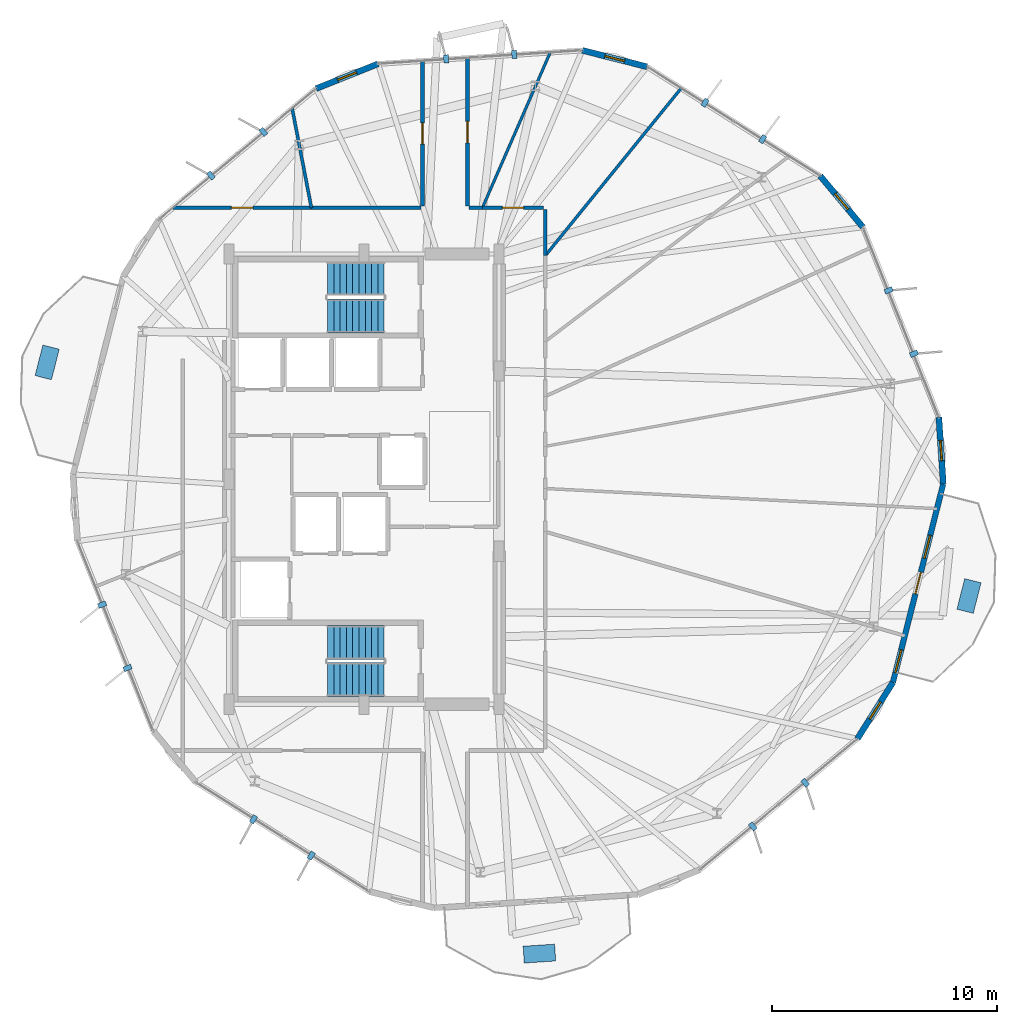
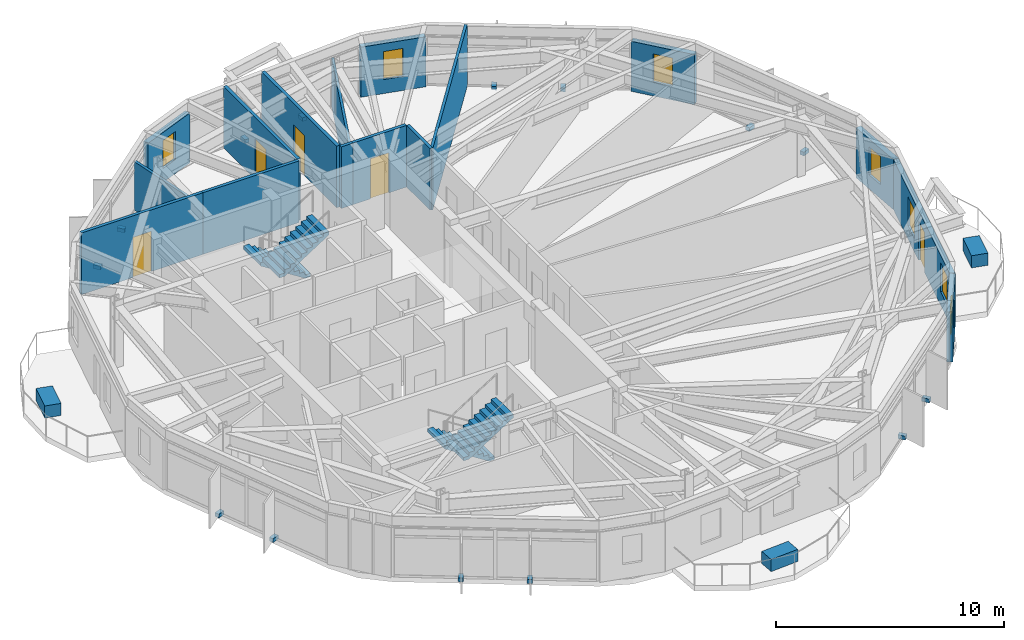
# One storey, part 21 of 24: 17 discrete accessories, 16 walls, 7 windows, 5 doors, 4 stair flights, 12 openings, 2 elements without a shape of their own.
"""IFC4 building model written with IfcOpenShell, lengths in metres."""

from ifc_helpers import new_model, si_unit, direction, frame, frame_2d, origin, origin_2d, place, context, subcontext, project, spatial, polyline, rectangle, outline, extrude, material, layer, layer_set, type_object, element, fill, aggregate, save


model = new_model("IFC4")

# Units and contexts
model_context = context("Model", 3, precision=1e-05, world=origin(), true_north=direction((0.0, 1.0)))
body_context = subcontext(model_context, "Body", "Model", "MODEL_VIEW")
ifc_project = project(units=[si_unit("LENGTHUNIT", "METRE"), si_unit("AREAUNIT", "SQUARE_METRE"), si_unit("VOLUMEUNIT", "CUBIC_METRE"), si_unit("PLANEANGLEUNIT", "RADIAN"), si_unit("MASSUNIT", "GRAM", prefix="KILO")], contexts=[model_context])

# Site, building, storey
site_placement = place(None, origin())
site = spatial("IfcSite", under=ifc_project, at=site_placement, CompositionType="ELEMENT")
building_placement = place(site_placement, origin())
building = spatial("IfcBuilding", under=site, at=building_placement, Name="Soratama Intermodal Tower", CompositionType="ELEMENT")
storey_placement = place(building_placement, frame((0.0, 0.0, 178.60009765625)))
storey = spatial("IfcBuildingStorey", under=building, at=storey_placement, Name="L44", CompositionType="ELEMENT", Elevation=178.60009765625)

# Wall, openings, door, windows
ifc_material_1 = material(Name="Concrete f'c 42 MPa", Category="concrete")
ifc_layer_1 = layer(ifc_material_1, 0.25)
ifc_layer_set_1 = layer_set([ifc_layer_1], Name="Concrete f'c 42 MPa")
wall_type_1 = type_object("IfcWallType", Name="EW-BAL-250", PredefinedType="SOLIDWALL", material=ifc_layer_set_1)
wall_1_placement = place(storey_placement, frame((62.091796875, 15.981689453125, 0.0), z_axis=(0.0, 0.0, 1.0), x_axis=(0.245644624453, 0.969359952999, 0.0)))
wall_1 = element("IfcWall", 1, at=wall_1_placement, inside=storey, type_object=wall_type_1, Name="L44 Terrace Wall F09", PredefinedType="SOLIDWALL", context=body_context, shape_type="SweptSolid", body=[
    extrude(rectangle(XDim=9.0869140625, YDim=0.25, at=frame_2d((4.54345703125, 0.0))), origin(), (0.0, 0.0, 1.0), 2.678955078125),
])
opening_1_placement = place(wall_1_placement, frame((4.04345703125, 0.0, 0.0)))
opening_1 = element("IfcOpeningElement", 2, at=opening_1_placement, cuts=wall_1, Name="Opening ED-2", PredefinedType="OPENING", context=body_context, shape_type="SweptSolid", body=[
    extrude(rectangle(XDim=1.0, YDim=2.14990234375, at=frame_2d((0.5, 1.074951171875))), frame((0.0, 0.135009765625, 0.0), z_axis=(0.0, -1.0, 0.0), x_axis=(1.0, 0.0, 0.0)), (0.0, 0.0, 1.0), 0.27001953125),
])
opening_2_placement = place(wall_1_placement, frame((0.43994140625, 0.0, 0.719970703125)))
opening_2 = element("IfcOpeningElement", 3, at=opening_2_placement, cuts=wall_1, Name="Opening WN-5", PredefinedType="OPENING", context=body_context, shape_type="SweptSolid", body=[
    extrude(rectangle(XDim=1.050048828125, YDim=1.550048828125, at=frame_2d((0.52490234375, 0.77490234375))), frame((0.0, 0.135009765625, 0.0), z_axis=(0.0, -1.0, 0.0), x_axis=(1.0, 0.0, 0.0)), (0.0, 0.0, 1.0), 0.27001953125),
])
opening_3_placement = place(wall_1_placement, frame((5.68359375, 0.0, 0.719970703125)))
opening_3 = element("IfcOpeningElement", 4, at=opening_3_placement, cuts=wall_1, Name="Opening WN-5", PredefinedType="OPENING", context=body_context, shape_type="SweptSolid", body=[
    extrude(rectangle(XDim=1.050048828125, YDim=1.550048828125, at=frame_2d((0.52490234375, 0.77490234375))), frame((0.0, 0.135009765625, 0.0), z_axis=(0.0, -1.0, 0.0), x_axis=(1.0, 0.0, 0.0)), (0.0, 0.0, 1.0), 0.27001953125),
])
ifc_material_2 = material(Name="Double-glazed aluminium door", Category="aluminium")
door_type_1 = type_object("IfcDoorType", Name="DR-BAL-1000", OperationType="NOTDEFINED", PredefinedType="DOOR", material=ifc_material_2)
door_1_placement = place(opening_1_placement, origin())
door_1 = element("IfcDoor", 5, at=door_1_placement, inside=storey, type_object=door_type_1, Name="L44 Balcony Door F09", OperationType="SINGLE_SWING_LEFT", OverallHeight=2.14990234375, OverallWidth=1.0, PredefinedType="DOOR", context=body_context, shape_type="SweptSolid", body=[
    extrude(rectangle(XDim=1.0, YDim=2.14990234375, at=frame_2d((0.5, 1.074951171875))), frame((0.0, 0.02490234375, 0.0), z_axis=(0.0, -1.0, 0.0), x_axis=(1.0, 0.0, 0.0)), (0.0, 0.0, 1.0), 0.050048828125),
])
fill(opening_1, door_1)
ifc_material_3 = material(Name="Double-glazed aluminium window", Category="aluminium")
window_type_1 = type_object("IfcWindowType", Name="WN-FAC-1050", PartitioningType="SINGLE_PANEL", PredefinedType="WINDOW", material=ifc_material_3)
window_1_placement = place(opening_2_placement, origin())
window_1 = element("IfcWindow", 6, at=window_1_placement, inside=storey, type_object=window_type_1, Name="L44 Window A F09", OverallHeight=1.550048828125, OverallWidth=1.050048828125, PartitioningType="SINGLE_PANEL", PredefinedType="WINDOW", context=body_context, shape_type="SweptSolid", body=[
    extrude(rectangle(XDim=1.050048828125, YDim=1.550048828125, at=frame_2d((0.52490234375, 0.77490234375))), frame((0.0, 0.030029296875, 0.0), z_axis=(0.0, -1.0, 0.0), x_axis=(1.0, 0.0, 0.0)), (0.0, 0.0, 1.0), 0.06005859375),
])
fill(opening_2, window_1)
window_2_placement = place(opening_3_placement, origin())
window_2 = element("IfcWindow", 7, at=window_2_placement, inside=storey, type_object=window_type_1, Name="L44 Window B F09", OverallHeight=1.550048828125, OverallWidth=1.050048828125, PartitioningType="SINGLE_PANEL", PredefinedType="WINDOW", context=body_context, shape_type="SweptSolid", body=[
    extrude(rectangle(XDim=1.050048828125, YDim=1.550048828125, at=frame_2d((0.52490234375, 0.77490234375))), frame((0.0, 0.030029296875, 0.0), z_axis=(0.0, -1.0, 0.0), x_axis=(1.0, 0.0, 0.0)), (0.0, 0.0, 1.0), 0.06005859375),
])
fill(opening_3, window_2)

# Wall, opening, window
ifc_material_4 = material(Name="Concrete f'c 42 MPa", Category="concrete")
ifc_layer_2 = layer(ifc_material_4, 0.27001953125)
ifc_layer_set_2 = layer_set([ifc_layer_2], Name="Concrete f'c 42 MPa")
wall_type_2 = type_object("IfcWallType", Name="EW-CRN-270", PredefinedType="SOLIDWALL", material=ifc_layer_set_2)
wall_2_placement = place(storey_placement, frame((51.1708984375, 43.313232421875, 0.0), z_axis=(0.0, 0.0, 1.0), x_axis=(-0.969353138007, 0.245671516128, 0.0)))
wall_2 = element("IfcWall", 8, at=wall_2_placement, inside=storey, type_object=wall_type_2, Name="L44 Corner Closure Wall 01", PredefinedType="SOLIDWALL", context=body_context, shape_type="SweptSolid", body=[
    extrude(rectangle(XDim=2.96630859375, YDim=0.27001953125, at=frame_2d((1.483154296875, 0.0))), origin(), (0.0, 0.0, 1.0), 2.678955078125),
])
opening_4_placement = place(wall_2_placement, frame((1.033203125, 0.0, 0.75)))
opening_4 = element("IfcOpeningElement", 9, at=opening_4_placement, cuts=wall_2, Name="Opening WN-6", PredefinedType="OPENING", context=body_context, shape_type="SweptSolid", body=[
    extrude(rectangle(XDim=0.89990234375, YDim=1.5, at=frame_2d((0.449951171875, 0.75))), frame((0.0, 0.14501953125, 0.0), z_axis=(0.0, -1.0, 0.0), x_axis=(1.0, 0.0, 0.0)), (0.0, 0.0, 1.0), 0.2900390625),
])
ifc_material_5 = material(Name="Double-glazed aluminium window", Category="aluminium")
window_type_2 = type_object("IfcWindowType", Name="WN-FAC-900", PartitioningType="SINGLE_PANEL", PredefinedType="WINDOW", material=ifc_material_5)
window_3_placement = place(opening_4_placement, origin())
window_3 = element("IfcWindow", 10, at=window_3_placement, inside=storey, type_object=window_type_2, Name="L44 Corner Window 01", OverallHeight=1.5, OverallWidth=0.89990234375, PartitioningType="SINGLE_PANEL", PredefinedType="WINDOW", context=body_context, shape_type="SweptSolid", body=[
    extrude(rectangle(XDim=0.89990234375, YDim=1.5, at=frame_2d((0.449951171875, 0.75))), frame((0.0, 0.030029296875, 0.0), z_axis=(0.0, -1.0, 0.0), x_axis=(1.0, 0.0, 0.0)), (0.0, 0.0, 1.0), 0.06005859375),
])
fill(opening_4, window_3)

wall_3_placement = place(storey_placement, frame((39.22802734375, 43.443115234375, 0.0), z_axis=(0.0, 0.0, 1.0), x_axis=(-0.928595836805, -0.371092672884, 0.0)))
wall_3 = element("IfcWall", 11, at=wall_3_placement, inside=storey, type_object=wall_type_2, Name="L44 Corner Closure Wall 02", PredefinedType="SOLIDWALL", context=body_context, shape_type="SweptSolid", body=[
    extrude(rectangle(XDim=2.966552734375, YDim=0.27001953125, at=frame_2d((1.4833984375, 0.0))), origin(), (0.0, 0.0, 1.0), 2.678955078125),
])
opening_5_placement = place(wall_3_placement, frame((1.033203125, 0.0, 0.75)))
opening_5 = element("IfcOpeningElement", 12, at=opening_5_placement, cuts=wall_3, Name="Opening WN-6", PredefinedType="OPENING", context=body_context, shape_type="SweptSolid", body=[
    extrude(rectangle(XDim=0.89990234375, YDim=1.5, at=frame_2d((0.449951171875, 0.75))), frame((0.0, 0.14501953125, 0.0), z_axis=(0.0, -1.0, 0.0), x_axis=(1.0, 0.0, 0.0)), (0.0, 0.0, 1.0), 0.2900390625),
])
window_4_placement = place(opening_5_placement, origin())
window_4 = element("IfcWindow", 13, at=window_4_placement, inside=storey, type_object=window_type_2, Name="L44 Corner Window 02", OverallHeight=1.5, OverallWidth=0.89990234375, PartitioningType="SINGLE_PANEL", PredefinedType="WINDOW", context=body_context, shape_type="SweptSolid", body=[
    extrude(rectangle(XDim=0.89990234375, YDim=1.5, at=frame_2d((0.449951171875, 0.75))), frame((0.0, 0.030029296875, 0.0), z_axis=(0.0, -1.0, 0.0), x_axis=(1.0, 0.0, 0.0)), (0.0, 0.0, 1.0), 0.06005859375),
])
fill(opening_5, window_4)

wall_4_placement = place(storey_placement, frame((60.510009765625, 13.471923828125, 0.0), z_axis=(0.0, 0.0, 1.0), x_axis=(0.533190820805, 0.845995005074, 0.0)))
wall_4 = element("IfcWall", 14, at=wall_4_placement, inside=storey, type_object=wall_type_2, Name="L44 Corner Closure Wall 08", PredefinedType="SOLIDWALL", context=body_context, shape_type="SweptSolid", body=[
    extrude(rectangle(XDim=2.966552734375, YDim=0.27001953125, at=frame_2d((1.4833984375, 0.0))), origin(), (0.0, 0.0, 1.0), 2.678955078125),
])
opening_6_placement = place(wall_4_placement, frame((1.033203125, 0.0, 0.75)))
opening_6 = element("IfcOpeningElement", 15, at=opening_6_placement, cuts=wall_4, Name="Opening WN-6", PredefinedType="OPENING", context=body_context, shape_type="SweptSolid", body=[
    extrude(rectangle(XDim=0.89990234375, YDim=1.5, at=frame_2d((0.449951171875, 0.75))), frame((0.0, 0.14501953125, 0.0), z_axis=(0.0, -1.0, 0.0), x_axis=(1.0, 0.0, 0.0)), (0.0, 0.0, 1.0), 0.2900390625),
])
window_5_placement = place(opening_6_placement, origin())
window_5 = element("IfcWindow", 16, at=window_5_placement, inside=storey, type_object=window_type_2, Name="L44 Corner Window 08", OverallHeight=1.5, OverallWidth=0.89990234375, PartitioningType="SINGLE_PANEL", PredefinedType="WINDOW", context=body_context, shape_type="SweptSolid", body=[
    extrude(rectangle(XDim=0.89990234375, YDim=1.5, at=frame_2d((0.449951171875, 0.75))), frame((0.0, 0.030029296875, 0.0), z_axis=(0.0, -1.0, 0.0), x_axis=(1.0, 0.0, 0.0)), (0.0, 0.0, 1.0), 0.06005859375),
])
fill(opening_6, window_5)

wall_5_placement = place(storey_placement, frame((64.323974609375, 24.790283203125, 0.0), z_axis=(0.0, 0.0, 1.0), x_axis=(-0.065923586617, 0.997824674343, 0.0)))
wall_5 = element("IfcWall", 17, at=wall_5_placement, inside=storey, type_object=wall_type_2, Name="L44 Corner Closure Wall 09", PredefinedType="SOLIDWALL", context=body_context, shape_type="SweptSolid", body=[
    extrude(rectangle(XDim=2.96630859375, YDim=0.27001953125, at=frame_2d((1.483154296875, 0.0))), origin(), (0.0, 0.0, 1.0), 2.678955078125),
])
opening_7_placement = place(wall_5_placement, frame((1.033203125, 0.0, 0.75)))
opening_7 = element("IfcOpeningElement", 18, at=opening_7_placement, cuts=wall_5, Name="Opening WN-6", PredefinedType="OPENING", context=body_context, shape_type="SweptSolid", body=[
    extrude(rectangle(XDim=0.89990234375, YDim=1.5, at=frame_2d((0.449951171875, 0.75))), frame((0.0, 0.14501953125, 0.0), z_axis=(0.0, -1.0, 0.0), x_axis=(1.0, 0.0, 0.0)), (0.0, 0.0, 1.0), 0.2900390625),
])
window_6_placement = place(opening_7_placement, origin())
window_6 = element("IfcWindow", 19, at=window_6_placement, inside=storey, type_object=window_type_2, Name="L44 Corner Window 09", OverallHeight=1.5, OverallWidth=0.89990234375, PartitioningType="SINGLE_PANEL", PredefinedType="WINDOW", context=body_context, shape_type="SweptSolid", body=[
    extrude(rectangle(XDim=0.89990234375, YDim=1.5, at=frame_2d((0.449951171875, 0.75))), frame((0.0, 0.030029296875, 0.0), z_axis=(0.0, -1.0, 0.0), x_axis=(1.0, 0.0, 0.0)), (0.0, 0.0, 1.0), 0.06005859375),
])
fill(opening_7, window_6)

wall_6_placement = place(storey_placement, frame((60.756591796875, 36.188720703125, 0.0), z_axis=(0.0, 0.0, 1.0), x_axis=(-0.639811943849, 0.768531506517, 0.0)))
wall_6 = element("IfcWall", 20, at=wall_6_placement, inside=storey, type_object=wall_type_2, Name="L44 Corner Closure Wall 10", PredefinedType="SOLIDWALL", context=body_context, shape_type="SweptSolid", body=[
    extrude(rectangle(XDim=2.96630859375, YDim=0.27001953125, at=frame_2d((1.483154296875, 0.0))), origin(), (0.0, 0.0, 1.0), 2.678955078125),
])
opening_8_placement = place(wall_6_placement, frame((1.033203125, 0.0, 0.75)))
opening_8 = element("IfcOpeningElement", 21, at=opening_8_placement, cuts=wall_6, Name="Opening WN-6", PredefinedType="OPENING", context=body_context, shape_type="SweptSolid", body=[
    extrude(rectangle(XDim=0.89990234375, YDim=1.5, at=frame_2d((0.449951171875, 0.75))), frame((0.0, 0.14501953125, 0.0), z_axis=(0.0, -1.0, 0.0), x_axis=(1.0, 0.0, 0.0)), (0.0, 0.0, 1.0), 0.2900390625),
])
window_7_placement = place(opening_8_placement, origin())
window_7 = element("IfcWindow", 22, at=window_7_placement, inside=storey, type_object=window_type_2, Name="L44 Corner Window 10", OverallHeight=1.5, OverallWidth=0.89990234375, PartitioningType="SINGLE_PANEL", PredefinedType="WINDOW", context=body_context, shape_type="SweptSolid", body=[
    extrude(rectangle(XDim=0.89990234375, YDim=1.5, at=frame_2d((0.449951171875, 0.75))), frame((0.0, 0.030029296875, 0.0), z_axis=(0.0, -1.0, 0.0), x_axis=(1.0, 0.0, 0.0)), (0.0, 0.0, 1.0), 0.06005859375),
])
fill(opening_8, window_7)

# Wall, opening, door
ifc_material_6 = material(Name="Fire-rated gypsum stud partition", Category="concrete")
ifc_layer_3 = layer(ifc_material_6, 0.159912109375)
ifc_layer_set_3 = layer_set([ifc_layer_3], Name="Fire-rated gypsum stud partition")
wall_type_3 = type_object("IfcWallType", Name="IW-PART-R160", PredefinedType="PARTITIONING", material=ifc_layer_set_3)
wall_7_placement = place(storey_placement, frame((43.199951171875, 43.705078125, 0.0), z_axis=(0.0, 0.0, 1.0), x_axis=(0.0, -1.0, 0.0)))
wall_7 = element("IfcWall", 23, at=wall_7_placement, inside=storey, type_object=wall_type_3, Name="L44 Partition W-L44-TP014", PredefinedType="PARTITIONING", context=body_context, shape_type="SweptSolid", body=[
    extrude(rectangle(XDim=6.5849609375, YDim=0.159912109375, at=frame_2d((3.29248046875, 0.0))), origin(), (0.0, 0.0, 1.0), 3.2998046875),
])
opening_9_placement = place(wall_7_placement, frame((2.818115234375, 0.0, 0.0)))
opening_9 = element("IfcOpeningElement", 24, at=opening_9_placement, cuts=wall_7, Name="Opening ID-3", PredefinedType="OPENING", context=body_context, shape_type="SweptSolid", body=[
    extrude(rectangle(XDim=0.949951171875, YDim=2.14990234375, at=frame_2d((0.47509765625, 1.074951171875))), frame((0.0, 0.08984375, 0.0), z_axis=(0.0, -1.0, 0.0), x_axis=(1.0, 0.0, 0.0)), (0.0, 0.0, 1.0), 0.179931640625),
])
ifc_material_7 = material(Name="Solid hardwood acoustic door", Category="wood")
door_type_2 = type_object("IfcDoorType", Name="DR-ROOM-950", OperationType="NOTDEFINED", PredefinedType="DOOR", material=ifc_material_7)
door_2_placement = place(opening_9_placement, origin())
door_2 = element("IfcDoor", 25, at=door_2_placement, inside=storey, type_object=door_type_2, Name="L44 Door D-L44-TP004", OperationType="SINGLE_SWING_LEFT", OverallHeight=2.14990234375, OverallWidth=0.949951171875, PredefinedType="DOOR", context=body_context, shape_type="SweptSolid", body=[
    extrude(rectangle(XDim=0.949951171875, YDim=2.14990234375, at=frame_2d((0.47509765625, 1.074951171875))), frame((0.0, 0.02490234375, 0.0), z_axis=(0.0, -1.0, 0.0), x_axis=(1.0, 0.0, 0.0)), (0.0, 0.0, 1.0), 0.050048828125),
])
fill(opening_9, door_2)

wall_8_placement = place(storey_placement, frame((41.199951171875, 37.1201171875, 0.0), z_axis=(0.0, 0.0, 1.0), x_axis=(0.0, 1.0, 0.0)))
wall_8 = element("IfcWall", 26, at=wall_8_placement, inside=storey, type_object=wall_type_3, Name="L44 Partition W-L44-TP015", PredefinedType="PARTITIONING", context=body_context, shape_type="SweptSolid", body=[
    extrude(rectangle(XDim=6.452880859375, YDim=0.159912109375, at=frame_2d((3.2265625, 0.0))), origin(), (0.0, 0.0, 1.0), 3.2998046875),
])
opening_10_placement = place(wall_8_placement, frame((2.751953125, 0.0, 0.0)))
opening_10 = element("IfcOpeningElement", 27, at=opening_10_placement, cuts=wall_8, Name="Opening ID-3", PredefinedType="OPENING", context=body_context, shape_type="SweptSolid", body=[
    extrude(rectangle(XDim=0.949951171875, YDim=2.14990234375, at=frame_2d((0.47509765625, 1.074951171875))), frame((0.0, 0.08984375, 0.0), z_axis=(0.0, -1.0, 0.0), x_axis=(1.0, 0.0, 0.0)), (0.0, 0.0, 1.0), 0.179931640625),
])
door_3_placement = place(opening_10_placement, origin())
door_3 = element("IfcDoor", 28, at=door_3_placement, inside=storey, type_object=door_type_2, Name="L44 Door D-L44-TP005", OperationType="SINGLE_SWING_RIGHT", OverallHeight=2.14990234375, OverallWidth=0.949951171875, PredefinedType="DOOR", context=body_context, shape_type="SweptSolid", body=[
    extrude(rectangle(XDim=0.949951171875, YDim=2.14990234375, at=frame_2d((0.47509765625, 1.074951171875))), frame((0.0, 0.02490234375, 0.0), z_axis=(0.0, -1.0, 0.0), x_axis=(1.0, 0.0, 0.0)), (0.0, 0.0, 1.0), 0.050048828125),
])
fill(opening_10, door_3)

wall_9_placement = place(storey_placement, frame((30.116943359375, 37.050048828125, 0.0), z_axis=(0.0, 0.0, 1.0), x_axis=(1.0, 0.0, 0.0)))
wall_9 = element("IfcWall", 29, at=wall_9_placement, inside=storey, type_object=wall_type_3, Name="L44 Partition W-L44-TP016", PredefinedType="PARTITIONING", context=body_context, shape_type="SweptSolid", body=[
    extrude(rectangle(XDim=6.150146484375, YDim=0.159912109375, at=frame_2d((3.0751953125, 0.0))), origin(), (0.0, 0.0, 1.0), 3.2998046875),
])
opening_11_placement = place(wall_9_placement, frame((2.60009765625, 0.0, 0.0)))
opening_11 = element("IfcOpeningElement", 30, at=opening_11_placement, cuts=wall_9, Name="Opening ID-3", PredefinedType="OPENING", context=body_context, shape_type="SweptSolid", body=[
    extrude(rectangle(XDim=0.949951171875, YDim=2.14990234375, at=frame_2d((0.47509765625, 1.074951171875))), frame((0.0, 0.08984375, 0.0), z_axis=(0.0, -1.0, 0.0), x_axis=(1.0, 0.0, 0.0)), (0.0, 0.0, 1.0), 0.179931640625),
])
door_4_placement = place(opening_11_placement, origin())
door_4 = element("IfcDoor", 31, at=door_4_placement, inside=storey, type_object=door_type_2, Name="L44 Door D-L44-TP006", OperationType="SINGLE_SWING_LEFT", OverallHeight=2.14990234375, OverallWidth=0.949951171875, PredefinedType="DOOR", context=body_context, shape_type="SweptSolid", body=[
    extrude(rectangle(XDim=0.949951171875, YDim=2.14990234375, at=frame_2d((0.47509765625, 1.074951171875))), frame((0.0, 0.02490234375, 0.0), z_axis=(0.0, -1.0, 0.0), x_axis=(1.0, 0.0, 0.0)), (0.0, 0.0, 1.0), 0.050048828125),
])
fill(opening_11, door_4)

# Wall
wall_10_placement = place(storey_placement, frame((36.26708984375, 37.050048828125, 0.0), z_axis=(0.0, 0.0, 1.0), x_axis=(1.0, 0.0, 0.0)))
element("IfcWall", 32, at=wall_10_placement, inside=storey, type_object=wall_type_3, Name="L44 Partition W-L44-TP017", PredefinedType="PARTITIONING", context=body_context, shape_type="SweptSolid", body=[
    extrude(rectangle(XDim=4.86279296875, YDim=0.159912109375, at=frame_2d((2.431396484375, 0.0))), origin(), (0.0, 0.0, 1.0), 3.2998046875),
])

# Wall, opening, door
wall_11_placement = place(storey_placement, frame((43.860107421875, 37.050048828125, 0.0), z_axis=(0.0, 0.0, 1.0), x_axis=(1.0, 0.0, 0.0)))
wall_11 = element("IfcWall", 33, at=wall_11_placement, inside=storey, type_object=wall_type_3, Name="L44 Partition W-L44-TP025", PredefinedType="PARTITIONING", context=body_context, shape_type="SweptSolid", body=[
    extrude(rectangle(XDim=2.719970703125, YDim=0.159912109375, at=frame_2d((1.35986328125, 0.0))), origin(), (0.0, 0.0, 1.0), 3.2998046875),
])
opening_12_placement = place(wall_11_placement, frame((0.885009765625, 0.0, 0.0)))
opening_12 = element("IfcOpeningElement", 34, at=opening_12_placement, cuts=wall_11, Name="Opening ID-3", PredefinedType="OPENING", context=body_context, shape_type="SweptSolid", body=[
    extrude(rectangle(XDim=0.949951171875, YDim=2.14990234375, at=frame_2d((0.47509765625, 1.074951171875))), frame((0.0, 0.08984375, 0.0), z_axis=(0.0, -1.0, 0.0), x_axis=(1.0, 0.0, 0.0)), (0.0, 0.0, 1.0), 0.179931640625),
])
door_5_placement = place(opening_12_placement, origin())
door_5 = element("IfcDoor", 35, at=door_5_placement, inside=storey, type_object=door_type_2, Name="L44 Door D-L44-TP011", OperationType="SINGLE_SWING_RIGHT", OverallHeight=2.14990234375, OverallWidth=0.949951171875, PredefinedType="DOOR", context=body_context, shape_type="SweptSolid", body=[
    extrude(rectangle(XDim=0.949951171875, YDim=2.14990234375, at=frame_2d((0.47509765625, 1.074951171875))), frame((0.0, 0.02490234375, 0.0), z_axis=(0.0, -1.0, 0.0), x_axis=(1.0, 0.0, 0.0)), (0.0, 0.0, 1.0), 0.050048828125),
])
fill(opening_12, door_5)

# Walls
wall_12_placement = place(storey_placement, frame((46.64990234375, 36.97998046875, 0.0), z_axis=(0.0, 0.0, 1.0), x_axis=(0.0, -1.0, 0.0)))
element("IfcWall", 36, at=wall_12_placement, inside=storey, type_object=wall_type_3, Name="L44 Partition W-L44-TP030", PredefinedType="PARTITIONING", context=body_context, shape_type="SweptSolid", body=[
    extrude(rectangle(XDim=2.05908203125, YDim=0.159912109375, at=frame_2d((1.029541015625, 0.0))), origin(), (0.0, 0.0, 1.0), 3.2998046875),
])
wall_13_placement = place(storey_placement, frame((43.27001953125, 37.050048828125, 0.0), z_axis=(0.0, 0.0, 1.0), x_axis=(1.0, 0.0, 0.0)))
element("IfcWall", 37, at=wall_13_placement, inside=storey, type_object=wall_type_3, Name="L44 Partition W-L44-TP035", PredefinedType="PARTITIONING", context=body_context, shape_type="SweptSolid", body=[
    extrude(rectangle(XDim=0.590087890625, YDim=0.159912109375, at=frame_2d((0.294921875, 0.0))), origin(), (0.0, 0.0, 1.0), 3.2998046875),
])
ifc_material_8 = material(Name="Fire-rated gypsum stud partition", Category="concrete")
ifc_layer_4 = layer(ifc_material_8, 0.1201171875)
ifc_layer_set_4 = layer_set([ifc_layer_4], Name="Fire-rated gypsum stud partition")
wall_type_4 = type_object("IfcWallType", Name="IW-PART-S120", PredefinedType="PARTITIONING", material=ifc_layer_set_4)
wall_14_placement = place(storey_placement, frame((43.860107421875, 37.050048828125, 0.0), z_axis=(0.0, 0.0, 1.0), x_axis=(0.400052953887, 0.916492026199, 0.0)))
element("IfcWall", 38, at=wall_14_placement, inside=storey, type_object=wall_type_4, Name="L44 Partition W-L44-TP010", PredefinedType="PARTITIONING", context=body_context, shape_type="SweptSolid", body=[
    extrude(rectangle(XDim=7.5263671875, YDim=0.1201171875, at=frame_2d((3.76318359375, 0.0))), origin(), (0.0, 0.0, 1.0), 2.594970703125),
])
ifc_material_9 = material(Name="Fire-rated gypsum stud partition", Category="concrete")
ifc_layer_5 = layer(ifc_material_9, 0.1298828125)
ifc_layer_set_5 = layer_set([ifc_layer_5], Name="Fire-rated gypsum stud partition")
wall_type_5 = type_object("IfcWallType", Name="IW-PART-S130", PredefinedType="PARTITIONING", material=ifc_layer_set_5)
wall_15_placement = place(storey_placement, frame((46.64990234375, 34.9208984375, 0.0), z_axis=(0.0, 0.0, 1.0), x_axis=(0.630137710879, 0.776483396685, 0.0)))
element("IfcWall", 39, at=wall_15_placement, inside=storey, type_object=wall_type_5, Name="L44 Partition W-L44-TP009", PredefinedType="PARTITIONING", context=body_context, shape_type="SweptSolid", body=[
    extrude(rectangle(XDim=9.5791015625, YDim=0.1298828125, at=frame_2d((4.78955078125, 0.0))), origin(), (0.0, 0.0, 1.0), 3.2998046875),
])
ifc_material_10 = material(Name="Fire-rated gypsum stud partition", Category="concrete")
ifc_layer_6 = layer(ifc_material_10, 0.139892578125)
ifc_layer_set_6 = layer_set([ifc_layer_6], Name="Fire-rated gypsum stud partition")
wall_type_6 = type_object("IfcWallType", Name="IW-PART-S140", PredefinedType="PARTITIONING", material=ifc_layer_set_6)
wall_16_placement = place(storey_placement, frame((36.26708984375, 37.050048828125, 0.0), z_axis=(0.0, 0.0, 1.0), x_axis=(-0.190163893375, 0.98175235862, 0.0)))
element("IfcWall", 40, at=wall_16_placement, inside=storey, type_object=wall_type_6, Name="L44 Partition W-L44-TP018", PredefinedType="PARTITIONING", context=body_context, shape_type="SweptSolid", body=[
    extrude(rectangle(XDim=4.490966796875, YDim=0.139892578125, at=frame_2d((2.24560546875, 0.0))), origin(), (0.0, 0.0, 1.0), 2.594970703125),
])

# Stair, stair flights
ifc_material_11 = material(Name="Concrete f'c 42 MPa", Category="concrete")
stair_type = type_object("IfcStairType", Name="ST-CORE-DOGLEG", PredefinedType="HALF_TURN_STAIR", material=ifc_material_11)
stair_1_placement = place(storey_placement, origin())
stair_1 = element("IfcStair", 41, at=stair_1_placement, inside=storey, type_object=stair_type, Name="L44 ST-1", PredefinedType="HALF_TURN_STAIR")
ifc_material_12 = material(Name="Precast concrete f'c 40 MPa", Category="concrete")
ifc_layer_7 = layer(ifc_material_12, 0.199951171875)
ifc_layer_set_7 = layer_set([ifc_layer_7], Name="Precast concrete f'c 40 MPa")
stair_flight_type = type_object("IfcStairFlightType", Name="SF-FLIGHT-RC", PredefinedType="STRAIGHT", material=ifc_layer_set_7)
stair_flight_1_placement = place(storey_placement, frame((39.5, 17.75, 0.0), z_axis=(0.0, 0.0, 1.0), x_axis=(-1.0, 0.0, 0.0)))
stair_flight_1 = element("IfcStairFlight", 42, at=stair_flight_1_placement, type_object=stair_flight_type, Name="ST-1 flight 1", NumberOfRisers=10, NumberOfTreads=9, PredefinedType="STRAIGHT", RiserHeight=0.18, TreadLength=0.28, context=body_context, shape_type="SweptSolid", body=[
    extrude(outline(polyline([(0.0, 0.0), (0.0, 0.179931640625), (0.280029296875, 0.179931640625), (0.280029296875, 0.360107421875), (0.56005859375, 0.360107421875), (0.56005859375, 0.5400390625), (0.840087890625, 0.5400390625), (0.840087890625, 0.719970703125), (1.1201171875, 0.719970703125), (1.1201171875, 0.89990234375), (1.39990234375, 0.89990234375), (1.39990234375, 1.080078125), (1.679931640625, 1.080078125), (1.679931640625, 1.260009765625), (1.9599609375, 1.260009765625), (1.9599609375, 1.43994140625), (2.239990234375, 1.43994140625), (2.239990234375, 1.6201171875), (2.52001953125, 1.6201171875), (2.52001953125, 1.800048828125), (2.52001953125, 1.44189453125), (0.277099609375, 0.0), (0.0, 0.0)])), frame((0.0, 0.75, 0.0), z_axis=(0.0, -1.0, 0.0), x_axis=(1.0, 0.0, 0.0)), (0.0, 0.0, 1.0), 1.5),
])
stair_flight_2_placement = place(storey_placement, frame((36.97998046875, 16.10009765625, 1.7998046875), z_axis=(0.0, 0.0, 1.0), x_axis=(1.0, 0.0, 0.0)))
stair_flight_2 = element("IfcStairFlight", 43, at=stair_flight_2_placement, type_object=stair_flight_type, Name="ST-1 flight 2", NumberOfRisers=10, NumberOfTreads=9, PredefinedType="STRAIGHT", RiserHeight=0.18, TreadLength=0.28, context=body_context, shape_type="SweptSolid", body=[
    extrude(outline(polyline([(0.0, 0.0), (0.0, 0.179931640625), (0.280029296875, 0.179931640625), (0.280029296875, 0.360107421875), (0.56005859375, 0.360107421875), (0.56005859375, 0.5400390625), (0.840087890625, 0.5400390625), (0.840087890625, 0.719970703125), (1.1201171875, 0.719970703125), (1.1201171875, 0.89990234375), (1.39990234375, 0.89990234375), (1.39990234375, 1.080078125), (1.679931640625, 1.080078125), (1.679931640625, 1.260009765625), (1.9599609375, 1.260009765625), (1.9599609375, 1.43994140625), (2.239990234375, 1.43994140625), (2.239990234375, 1.6201171875), (2.52001953125, 1.6201171875), (2.52001953125, 1.800048828125), (2.52001953125, 1.44189453125), (0.277099609375, 0.0), (0.0, 0.0)])), frame((0.0, 0.75, 0.0), z_axis=(0.0, -1.0, 0.0), x_axis=(1.0, 0.0, 0.0)), (0.0, 0.0, 1.0), 1.5),
])
aggregate(stair_1, [stair_flight_1, stair_flight_2])

stair_2_placement = place(storey_placement, origin())
stair_2 = element("IfcStair", 44, at=stair_2_placement, inside=storey, type_object=stair_type, Name="L44 ST-2", PredefinedType="HALF_TURN_STAIR")
stair_flight_3_placement = place(storey_placement, frame((39.5, 33.89990234375, 0.0), z_axis=(0.0, 0.0, 1.0), x_axis=(-1.0, 0.0, 0.0)))
stair_flight_3 = element("IfcStairFlight", 45, at=stair_flight_3_placement, type_object=stair_flight_type, Name="ST-2 flight 1", NumberOfRisers=10, NumberOfTreads=9, PredefinedType="STRAIGHT", RiserHeight=0.18, TreadLength=0.28, context=body_context, shape_type="SweptSolid", body=[
    extrude(outline(polyline([(0.0, 0.0), (0.0, 0.179931640625), (0.280029296875, 0.179931640625), (0.280029296875, 0.360107421875), (0.56005859375, 0.360107421875), (0.56005859375, 0.5400390625), (0.840087890625, 0.5400390625), (0.840087890625, 0.719970703125), (1.1201171875, 0.719970703125), (1.1201171875, 0.89990234375), (1.39990234375, 0.89990234375), (1.39990234375, 1.080078125), (1.679931640625, 1.080078125), (1.679931640625, 1.260009765625), (1.9599609375, 1.260009765625), (1.9599609375, 1.43994140625), (2.239990234375, 1.43994140625), (2.239990234375, 1.6201171875), (2.52001953125, 1.6201171875), (2.52001953125, 1.800048828125), (2.52001953125, 1.44189453125), (0.277099609375, 0.0), (0.0, 0.0)])), frame((0.0, 0.75, 0.0), z_axis=(0.0, -1.0, 0.0), x_axis=(1.0, 0.0, 0.0)), (0.0, 0.0, 1.0), 1.5),
])
stair_flight_4_placement = place(storey_placement, frame((36.97998046875, 32.25, 1.7998046875), z_axis=(0.0, 0.0, 1.0), x_axis=(1.0, 0.0, 0.0)))
stair_flight_4 = element("IfcStairFlight", 46, at=stair_flight_4_placement, type_object=stair_flight_type, Name="ST-2 flight 2", NumberOfRisers=10, NumberOfTreads=9, PredefinedType="STRAIGHT", RiserHeight=0.18, TreadLength=0.28, context=body_context, shape_type="SweptSolid", body=[
    extrude(outline(polyline([(0.0, 0.0), (0.0, 0.179931640625), (0.280029296875, 0.179931640625), (0.280029296875, 0.360107421875), (0.56005859375, 0.360107421875), (0.56005859375, 0.5400390625), (0.840087890625, 0.5400390625), (0.840087890625, 0.719970703125), (1.1201171875, 0.719970703125), (1.1201171875, 0.89990234375), (1.39990234375, 0.89990234375), (1.39990234375, 1.080078125), (1.679931640625, 1.080078125), (1.679931640625, 1.260009765625), (1.9599609375, 1.260009765625), (1.9599609375, 1.43994140625), (2.239990234375, 1.43994140625), (2.239990234375, 1.6201171875), (2.52001953125, 1.6201171875), (2.52001953125, 1.800048828125), (2.52001953125, 1.44189453125), (0.277099609375, 0.0), (0.0, 0.0)])), frame((0.0, 0.75, 0.0), z_axis=(0.0, -1.0, 0.0), x_axis=(1.0, 0.0, 0.0)), (0.0, 0.0, 1.0), 1.5),
])
aggregate(stair_2, [stair_flight_3, stair_flight_4])

# Discrete accessories
ifc_material_13 = material(Name="Structural steel ASTM A992 Grade 50", Category="steel")
discrete_accessory_type_1 = type_object("IfcDiscreteAccessoryType", Name="AC-FIN-BRACKET", PredefinedType="BRACKET", material=ifc_material_13)
for number, where, z_axis, x_axis, name in (
    (47, (56.306640625, 40.100341796875, -0.080078125), (0.0, 0.0, 1.0), (0.533171620737, 0.846007105668, 0.0), "L44 Fin Bracket F01-1"),
    (48, (53.744140625, 41.71533203125, -0.080078125), (0.0, 0.0, 1.0), (0.533171620737, 0.846007105668, 0.0), "L44 Fin Bracket F01-2"),
    (49, (45.271484375, 43.8623046875, -0.080078125), (0.0, 0.0, 1.0), (-0.065925597951, 0.997824541457, 0.0), "L44 Fin Bracket F02-1"),
    (50, (42.249267578125, 43.66259765625, -0.080078125), (0.0, 0.0, 1.0), (-0.065925597951, 0.997824541457, 0.0), "L44 Fin Bracket F02-2"),
    (51, (34.1328125, 40.41943359375, -0.080078125), (0.0, 0.0, 1.0), (-0.639841478951, 0.768506917219, 0.0), "L44 Fin Bracket F03-1"),
    (52, (31.804931640625, 38.4814453125, -0.080078125), (0.0, 0.0, 1.0), (-0.639841478951, 0.768506917219, 0.0), "L44 Fin Bracket F03-2"),
    (53, (26.97705078125, 19.429443359375, -0.080078125), (0.0, 0.0, 1.0), (-0.928615402141, -0.371043710237, 0.0), "L44 Fin Bracket F05-1"),
    (54, (28.100830078125, 16.61669921875, -0.080078125), (0.0, 0.0, 1.0), (-0.928615402141, -0.371043710237, 0.0), "L44 Fin Bracket F05-2"),
    (55, (33.693359375, 9.899658203125, -0.080078125), (0.0, 0.0, 1.0), (-0.533171620737, -0.846007105668, 0.0), "L44 Fin Bracket F06-1"),
    (56, (36.255859375, 8.28466796875, -0.080078125), (0.0, 0.0, 1.0), (-0.533171620737, -0.846007105668, 0.0), "L44 Fin Bracket F06-2"),
    (57, (55.8671875, 9.58056640625, -0.080078125), (0.0, 0.0, 1.0), (0.639841478951, -0.768506917219, 0.0), "L44 Fin Bracket F08-1"),
    (58, (58.195068359375, 11.5185546875, -0.080078125), (0.0, 0.0, 1.0), (0.639841478951, -0.768506917219, 0.0), "L44 Fin Bracket F08-2"),
    (59, (63.02294921875, 30.570556640625, -0.080078125), (0.0, 0.0, 1.0), (0.928615402141, 0.371043710237, 0.0), "L44 Fin Bracket F10-1"),
    (60, (61.899169921875, 33.38330078125, -0.080078125), (0.0, 0.0, 1.0), (0.928615402141, 0.371043710237, 0.0), "L44 Fin Bracket F10-2"),
):
    element("IfcDiscreteAccessory", number, at=place(storey_placement, frame(where, z_axis=z_axis, x_axis=x_axis)), inside=storey, type_object=discrete_accessory_type_1, Name=name, PredefinedType="BRACKET", context=body_context, shape_type="SweptSolid", body=[
        extrude(rectangle(XDim=0.360107421875, YDim=0.219970703125, at=origin_2d()), origin(), (0.0, 0.0, 1.0), 0.199951171875),
    ])
ifc_material_14 = material(Name="Precast concrete f'c 40 MPa", Category="concrete")
discrete_accessory_type_2 = type_object("IfcDiscreteAccessoryType", Name="AC-PLANTER-TREE", PredefinedType="USERDEFINED", material=ifc_material_14)
for number, where, z_axis, x_axis, name in (
    (61, (65.466552734375, 19.813720703125, 0.0), (0.0, 0.0, 1.0), (0.969359662404, -0.245645771192, 0.0), "L44 Tree Planter 1"),
    (62, (24.533447265625, 30.186279296875, 0.0), (0.0, 0.0, 1.0), (-0.969359662404, 0.245645771192, 0.0), "L44 Tree Planter 2"),
    (63, (46.391845703125, 3.9326171875, 0.0), (0.0, 0.0, 1.0), (0.065925597951, -0.997824541457, 0.0), "L44 Tree Planter 3"),
):
    element("IfcDiscreteAccessory", number, at=place(storey_placement, frame(where, z_axis=z_axis, x_axis=x_axis)), inside=storey, type_object=discrete_accessory_type_2, Name=name, ObjectType="PLANTER", PredefinedType="USERDEFINED", context=body_context, shape_type="SweptSolid", body=[
        extrude(rectangle(XDim=0.75, YDim=1.39990234375, at=origin_2d()), origin(), (0.0, 0.0, 1.0), 0.64990234375),
    ])

save(model, "model.ifc")
